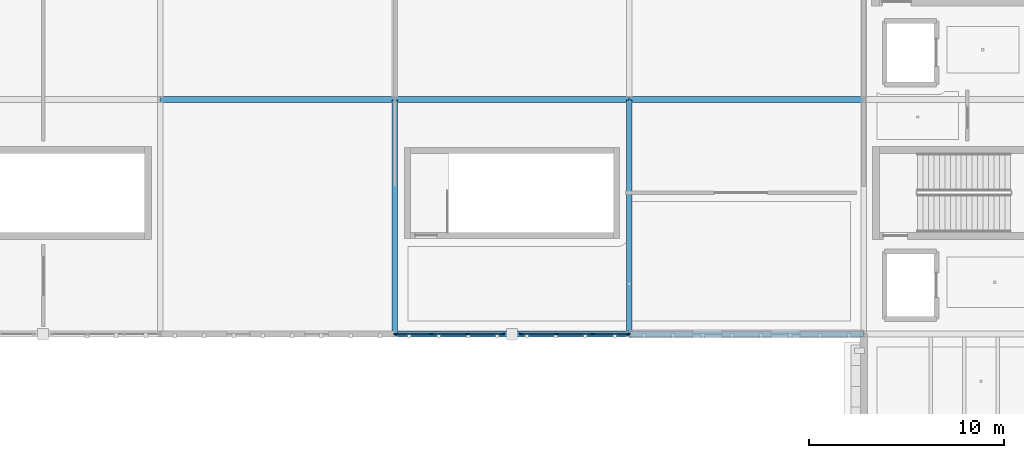
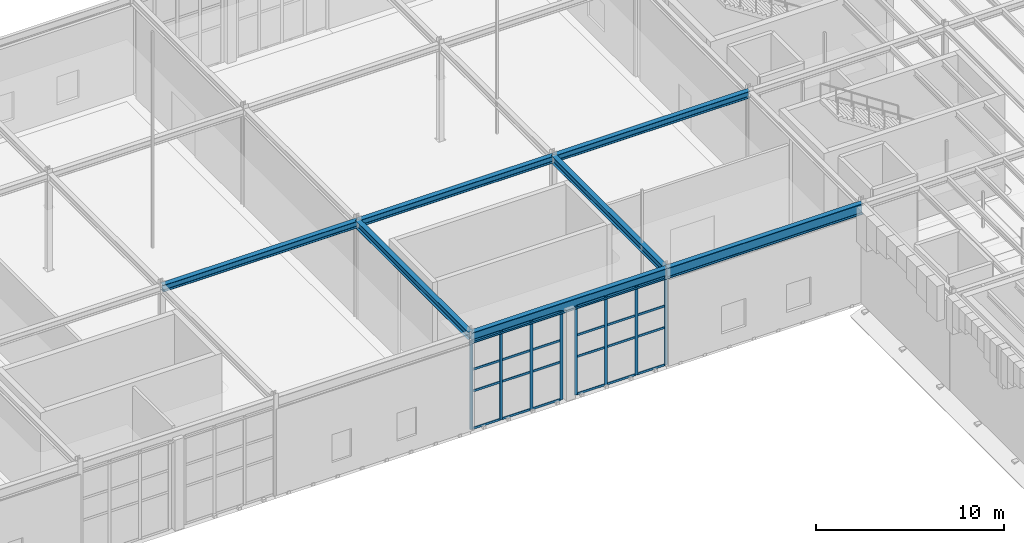
# One storey, part 20 of 62: 32 members, 7 beams, 2 elements without a shape of their own.
"""IFC4 building model written with IfcOpenShell, lengths in metres."""

from ifc_helpers import new_model, si_unit, direction, frame, origin, origin_2d, place, context, subcontext, project, spatial, rectangle, i_section, extrude, material, layer, layer_set, material_profile, profile_set, type_object, element, aggregate, save


model = new_model("IFC4")

# Units and contexts
model_context = context("Model", 3, precision=1e-05, world=origin(), true_north=direction((0.0, 1.0)))
body_context = subcontext(model_context, "Body", "Model", "MODEL_VIEW")
ifc_project = project(units=[si_unit("LENGTHUNIT", "METRE"), si_unit("AREAUNIT", "SQUARE_METRE"), si_unit("VOLUMEUNIT", "CUBIC_METRE"), si_unit("PLANEANGLEUNIT", "RADIAN"), si_unit("MASSUNIT", "GRAM", prefix="KILO")], contexts=[model_context])

# Site, building, storey
site_placement = place(None, origin())
site = spatial("IfcSite", under=ifc_project, at=site_placement, CompositionType="ELEMENT")
building_placement = place(site_placement, origin())
building = spatial("IfcBuilding", under=site, at=building_placement, Name="Zlatogorsky Bluff Art Gallery", CompositionType="ELEMENT")
storey_placement = place(building_placement, frame((0.0, 0.0, 16.800048828125)))
storey = spatial("IfcBuildingStorey", under=building, at=storey_placement, Name="L03", CompositionType="ELEMENT", Elevation=16.800048828125)

# Beams
ifc_material_1 = material(Name="Steel S355", Category="steel")
ifc_material_profile_1 = material_profile(ifc_material_1, i_section(OverallWidth=0.300048828125, OverallDepth=0.699951171875, WebThickness=0.01708984375, FlangeThickness=0.031982421875, FilletRadius=0.027099609375, at=origin_2d()), Name="HEB 700")
ifc_profile_set_1 = profile_set([ifc_material_profile_1], Name="Steel S355")
beam_type_1 = type_object("IfcBeamType", Name="Beam BM-02 HEB 700", PredefinedType="BEAM", material=ifc_profile_set_1)
for number, where, z_axis, x_axis, name in (
    (1, (96.014892578125, 84.0, 5.97998046875), (1.0, 0.0, 0.0), (0.0, 1.0, 0.0), "Primary girder BM-02 L03 J-K/9"),
    (2, (108.014892578125, 84.0, 5.97998046875), (1.0, 0.0, 0.0), (0.0, 1.0, 0.0), "Primary girder BM-02 L03 K-L/9"),
):
    element("IfcBeam", number, at=place(storey_placement, frame(where, z_axis=z_axis, x_axis=x_axis)), inside=storey, type_object=beam_type_1, Name=name, PredefinedType="BEAM", context=body_context, shape_type="SweptSolid", body=[
        extrude(i_section(OverallWidth=0.300048828125, OverallDepth=0.699951171875, WebThickness=0.01708984375, FlangeThickness=0.031982421875, FilletRadius=0.027099609375, at=origin_2d()), origin(), (0.0, 0.0, 1.0), 11.97021484375),
    ])
ifc_material_profile_2 = material_profile(ifc_material_1, i_section(OverallWidth=0.300048828125, OverallDepth=0.489990234375, WebThickness=0.011962890625, FlangeThickness=0.02294921875, FilletRadius=0.027099609375, at=origin_2d()), Name="HEA 500")
ifc_profile_set_2 = profile_set([ifc_material_profile_2], Name="Steel S355")
beam_type_2 = type_object("IfcBeamType", Name="Beam BM-07 HEA 500", PredefinedType="BEAM", material=ifc_profile_set_2)
for number, where, z_axis, x_axis, name in (
    (3, (96.0, 84.014892578125, 6.0849609375), (0.0, 1.0, 0.0), (-1.0, 0.0, 0.0), "Primary girder BM-07 L03 J/9-10"),
    (4, (108.0, 84.014892578125, 6.0849609375), (0.0, 1.0, 0.0), (-1.0, 0.0, 0.0), "Primary girder BM-07 L03 K/9-10"),
):
    element("IfcBeam", number, at=place(storey_placement, frame(where, z_axis=z_axis, x_axis=x_axis)), inside=storey, type_object=beam_type_2, Name=name, PredefinedType="BEAM", context=body_context, shape_type="SweptSolid", body=[
        extrude(i_section(OverallWidth=0.300048828125, OverallDepth=0.489990234375, WebThickness=0.011962890625, FlangeThickness=0.02294921875, FilletRadius=0.027099609375, at=origin_2d()), origin(), (0.0, 0.0, 1.0), 11.97021484375),
    ])
ifc_material_profile_3 = material_profile(ifc_material_1, i_section(OverallWidth=0.300048828125, OverallDepth=0.43994140625, WebThickness=0.011474609375, FlangeThickness=0.02099609375, FilletRadius=0.027099609375, at=origin_2d()), Name="HEA 450")
ifc_profile_set_3 = profile_set([ifc_material_profile_3], Name="Steel S355")
beam_type_3 = type_object("IfcBeamType", Name="Beam BM-08 HEA 450", PredefinedType="BEAM", material=ifc_profile_set_3)
for number, where, z_axis, x_axis, name in (
    (5, (84.014892578125, 96.0, 6.10986328125), (1.0, 0.0, 0.0), (0.0, 1.0, 0.0), "Primary girder BM-08 L03 H-J/10"),
    (6, (96.014892578125, 96.0, 6.10986328125), (1.0, 0.0, 0.0), (0.0, 1.0, 0.0), "Primary girder BM-08 L03 J-K/10"),
    (7, (108.014892578125, 96.0, 6.10986328125), (1.0, 0.0, 0.0), (0.0, 1.0, 0.0), "Primary girder BM-08 L03 K-L/10"),
):
    element("IfcBeam", number, at=place(storey_placement, frame(where, z_axis=z_axis, x_axis=x_axis)), inside=storey, type_object=beam_type_3, Name=name, PredefinedType="BEAM", context=body_context, shape_type="SweptSolid", body=[
        extrude(i_section(OverallWidth=0.300048828125, OverallDepth=0.43994140625, WebThickness=0.011474609375, FlangeThickness=0.02099609375, FilletRadius=0.027099609375, at=origin_2d()), origin(), (0.0, 0.0, 1.0), 11.97021484375),
    ])

# Curtain wall, members
ifc_material_2 = material(Name="Anodised Bronze Aluminium and Low-Iron Triple Glazing", Category="aluminium")
ifc_layer = layer(ifc_material_2, 0.219970703125)
ifc_layer_set = layer_set([ifc_layer], Name="Curtain Wall CW-04")
curtain_wall_type = type_object("IfcCurtainWallType", Name="Curtain Wall CW-04", PredefinedType="USERDEFINED", material=ifc_layer_set)
curtain_wall_1_placement = place(storey_placement, origin())
curtain_wall_1 = element("IfcCurtainWall", 8, at=curtain_wall_1_placement, inside=storey, type_object=curtain_wall_type, Name="Unitised curtain wall CW-04 L03 S 8.8-A", ObjectType="CURTAIN WALL", PredefinedType="USERDEFINED")
ifc_material_3 = material(Name="Anodised Bronze Aluminium", Category="aluminium")
ifc_material_profile_4 = material_profile(ifc_material_3, rectangle(XDim=0.06494140625, YDim=0.179931640625, at=origin_2d()), Name="ALU MULLION 65x180")
ifc_profile_set_4 = profile_set([ifc_material_profile_4], Name="Anodised Bronze Aluminium")
member_type_1 = type_object("IfcMemberType", Name="Curtain Mullion ML-01", PredefinedType="MULLION", material=ifc_profile_set_4)
member_1_placement = place(storey_placement, frame((96.032470703125, 84.0, 0.0), z_axis=(0.0, 0.0, 1.0), x_axis=(0.0, 1.0, 0.0)))
member_1 = element("IfcMember", 9, at=member_1_placement, type_object=member_type_1, Name="CW-04 mullion 1", PredefinedType="MULLION", context=body_context, shape_type="SweptSolid", body=[
    extrude(rectangle(XDim=0.06494140625, YDim=0.179931640625, at=origin_2d()), origin(), (0.0, 0.0, 1.0), 5.75),
])
member_2_placement = place(storey_placement, frame((97.860107421875, 84.0, 0.0), z_axis=(0.0, 0.0, 1.0), x_axis=(0.0, 1.0, 0.0)))
member_2 = element("IfcMember", 10, at=member_2_placement, type_object=member_type_1, Name="CW-04 mullion 2", PredefinedType="MULLION", context=body_context, shape_type="SweptSolid", body=[
    extrude(rectangle(XDim=0.06494140625, YDim=0.179931640625, at=origin_2d()), origin(), (0.0, 0.0, 1.0), 5.75),
])
member_3_placement = place(storey_placement, frame((99.719970703125, 84.0, 0.0), z_axis=(0.0, 0.0, 1.0), x_axis=(0.0, 1.0, 0.0)))
member_3 = element("IfcMember", 11, at=member_3_placement, type_object=member_type_1, Name="CW-04 mullion 3", PredefinedType="MULLION", context=body_context, shape_type="SweptSolid", body=[
    extrude(rectangle(XDim=0.06494140625, YDim=0.179931640625, at=origin_2d()), origin(), (0.0, 0.0, 1.0), 5.75),
])
member_4_placement = place(storey_placement, frame((101.547607421875, 84.0, 0.0), z_axis=(0.0, 0.0, 1.0), x_axis=(0.0, 1.0, 0.0)))
member_4 = element("IfcMember", 12, at=member_4_placement, type_object=member_type_1, Name="CW-04 mullion 4", PredefinedType="MULLION", context=body_context, shape_type="SweptSolid", body=[
    extrude(rectangle(XDim=0.06494140625, YDim=0.179931640625, at=origin_2d()), origin(), (0.0, 0.0, 1.0), 5.75),
])

curtain_wall_2_placement = place(storey_placement, origin())
curtain_wall_2 = element("IfcCurtainWall", 13, at=curtain_wall_2_placement, inside=storey, type_object=curtain_wall_type, Name="Unitised curtain wall CW-04 L03 S 8.8-B", ObjectType="CURTAIN WALL", PredefinedType="USERDEFINED")
member_5_placement = place(storey_placement, frame((102.452392578125, 84.0, 0.0), z_axis=(0.0, 0.0, 1.0), x_axis=(0.0, 1.0, 0.0)))
member_5 = element("IfcMember", 14, at=member_5_placement, type_object=member_type_1, Name="CW-04 mullion 1", PredefinedType="MULLION", context=body_context, shape_type="SweptSolid", body=[
    extrude(rectangle(XDim=0.06494140625, YDim=0.179931640625, at=origin_2d()), origin(), (0.0, 0.0, 1.0), 5.75),
])
member_6_placement = place(storey_placement, frame((104.280029296875, 84.0, 0.0), z_axis=(0.0, 0.0, 1.0), x_axis=(0.0, 1.0, 0.0)))
member_6 = element("IfcMember", 15, at=member_6_placement, type_object=member_type_1, Name="CW-04 mullion 2", PredefinedType="MULLION", context=body_context, shape_type="SweptSolid", body=[
    extrude(rectangle(XDim=0.06494140625, YDim=0.179931640625, at=origin_2d()), origin(), (0.0, 0.0, 1.0), 5.75),
])
member_7_placement = place(storey_placement, frame((106.139892578125, 84.0, 0.0), z_axis=(0.0, 0.0, 1.0), x_axis=(0.0, 1.0, 0.0)))
member_7 = element("IfcMember", 16, at=member_7_placement, type_object=member_type_1, Name="CW-04 mullion 3", PredefinedType="MULLION", context=body_context, shape_type="SweptSolid", body=[
    extrude(rectangle(XDim=0.06494140625, YDim=0.179931640625, at=origin_2d()), origin(), (0.0, 0.0, 1.0), 5.75),
])
member_8_placement = place(storey_placement, frame((107.967529296875, 84.0, 0.0), z_axis=(0.0, 0.0, 1.0), x_axis=(0.0, 1.0, 0.0)))
member_8 = element("IfcMember", 17, at=member_8_placement, type_object=member_type_1, Name="CW-04 mullion 4", PredefinedType="MULLION", context=body_context, shape_type="SweptSolid", body=[
    extrude(rectangle(XDim=0.06494140625, YDim=0.179931640625, at=origin_2d()), origin(), (0.0, 0.0, 1.0), 5.75),
])

# Member
ifc_material_profile_5 = material_profile(ifc_material_3, rectangle(XDim=0.06494140625, YDim=0.139892578125, at=origin_2d()), Name="ALU TRANSOM 65x140")
ifc_profile_set_5 = profile_set([ifc_material_profile_5], Name="Anodised Bronze Aluminium")
member_type_2 = type_object("IfcMemberType", Name="Curtain Transom TR-01", PredefinedType="USERDEFINED", material=ifc_profile_set_5)
member_9_placement = place(storey_placement, frame((96.06494140625, 84.0, 0.032470703125), z_axis=(1.0, 0.0, 0.0), x_axis=(0.0, 1.0, 0.0)))
member_9 = element("IfcMember", 18, at=member_9_placement, type_object=member_type_2, Name="CW-04 transom 1.1", ObjectType="TRANSOM", PredefinedType="USERDEFINED", context=body_context, shape_type="SweptSolid", body=[
    extrude(rectangle(XDim=0.06494140625, YDim=0.139892578125, at=origin_2d()), origin(), (0.0, 0.0, 1.0), 1.762451171875),
])

member_10_placement = place(storey_placement, frame((96.06494140625, 84.0, 2.449951171875), z_axis=(1.0, 0.0, 0.0), x_axis=(0.0, 1.0, 0.0)))
member_10 = element("IfcMember", 19, at=member_10_placement, type_object=member_type_2, Name="CW-04 transom 1.2", ObjectType="TRANSOM", PredefinedType="USERDEFINED", context=body_context, shape_type="SweptSolid", body=[
    extrude(rectangle(XDim=0.06494140625, YDim=0.139892578125, at=origin_2d()), origin(), (0.0, 0.0, 1.0), 1.762451171875),
])

member_11_placement = place(storey_placement, frame((96.06494140625, 84.0, 3.849853515625), z_axis=(1.0, 0.0, 0.0), x_axis=(0.0, 1.0, 0.0)))
member_11 = element("IfcMember", 20, at=member_11_placement, type_object=member_type_2, Name="CW-04 transom 1.3", ObjectType="TRANSOM", PredefinedType="USERDEFINED", context=body_context, shape_type="SweptSolid", body=[
    extrude(rectangle(XDim=0.06494140625, YDim=0.139892578125, at=origin_2d()), origin(), (0.0, 0.0, 1.0), 1.762451171875),
])

member_12_placement = place(storey_placement, frame((96.06494140625, 84.0, 5.717529296875), z_axis=(1.0, 0.0, 0.0), x_axis=(0.0, 1.0, 0.0)))
member_12 = element("IfcMember", 21, at=member_12_placement, type_object=member_type_2, Name="CW-04 transom 1.4", ObjectType="TRANSOM", PredefinedType="USERDEFINED", context=body_context, shape_type="SweptSolid", body=[
    extrude(rectangle(XDim=0.06494140625, YDim=0.139892578125, at=origin_2d()), origin(), (0.0, 0.0, 1.0), 1.762451171875),
])

member_13_placement = place(storey_placement, frame((97.892578125, 84.0, 0.032470703125), z_axis=(1.0, 0.0, 0.0), x_axis=(0.0, 1.0, 0.0)))
member_13 = element("IfcMember", 22, at=member_13_placement, type_object=member_type_2, Name="CW-04 transom 2.1", ObjectType="TRANSOM", PredefinedType="USERDEFINED", context=body_context, shape_type="SweptSolid", body=[
    extrude(rectangle(XDim=0.06494140625, YDim=0.139892578125, at=origin_2d()), origin(), (0.0, 0.0, 1.0), 1.794921875),
])

member_14_placement = place(storey_placement, frame((97.892578125, 84.0, 2.449951171875), z_axis=(1.0, 0.0, 0.0), x_axis=(0.0, 1.0, 0.0)))
member_14 = element("IfcMember", 23, at=member_14_placement, type_object=member_type_2, Name="CW-04 transom 2.2", ObjectType="TRANSOM", PredefinedType="USERDEFINED", context=body_context, shape_type="SweptSolid", body=[
    extrude(rectangle(XDim=0.06494140625, YDim=0.139892578125, at=origin_2d()), origin(), (0.0, 0.0, 1.0), 1.794921875),
])

member_15_placement = place(storey_placement, frame((97.892578125, 84.0, 3.849853515625), z_axis=(1.0, 0.0, 0.0), x_axis=(0.0, 1.0, 0.0)))
member_15 = element("IfcMember", 24, at=member_15_placement, type_object=member_type_2, Name="CW-04 transom 2.3", ObjectType="TRANSOM", PredefinedType="USERDEFINED", context=body_context, shape_type="SweptSolid", body=[
    extrude(rectangle(XDim=0.06494140625, YDim=0.139892578125, at=origin_2d()), origin(), (0.0, 0.0, 1.0), 1.794921875),
])

member_16_placement = place(storey_placement, frame((97.892578125, 84.0, 5.717529296875), z_axis=(1.0, 0.0, 0.0), x_axis=(0.0, 1.0, 0.0)))
member_16 = element("IfcMember", 25, at=member_16_placement, type_object=member_type_2, Name="CW-04 transom 2.4", ObjectType="TRANSOM", PredefinedType="USERDEFINED", context=body_context, shape_type="SweptSolid", body=[
    extrude(rectangle(XDim=0.06494140625, YDim=0.139892578125, at=origin_2d()), origin(), (0.0, 0.0, 1.0), 1.794921875),
])

member_17_placement = place(storey_placement, frame((99.75244140625, 84.0, 0.032470703125), z_axis=(1.0, 0.0, 0.0), x_axis=(0.0, 1.0, 0.0)))
member_17 = element("IfcMember", 26, at=member_17_placement, type_object=member_type_2, Name="CW-04 transom 3.1", ObjectType="TRANSOM", PredefinedType="USERDEFINED", context=body_context, shape_type="SweptSolid", body=[
    extrude(rectangle(XDim=0.06494140625, YDim=0.139892578125, at=origin_2d()), origin(), (0.0, 0.0, 1.0), 1.762451171875),
])

member_18_placement = place(storey_placement, frame((99.75244140625, 84.0, 2.449951171875), z_axis=(1.0, 0.0, 0.0), x_axis=(0.0, 1.0, 0.0)))
member_18 = element("IfcMember", 27, at=member_18_placement, type_object=member_type_2, Name="CW-04 transom 3.2", ObjectType="TRANSOM", PredefinedType="USERDEFINED", context=body_context, shape_type="SweptSolid", body=[
    extrude(rectangle(XDim=0.06494140625, YDim=0.139892578125, at=origin_2d()), origin(), (0.0, 0.0, 1.0), 1.762451171875),
])

member_19_placement = place(storey_placement, frame((99.75244140625, 84.0, 3.849853515625), z_axis=(1.0, 0.0, 0.0), x_axis=(0.0, 1.0, 0.0)))
member_19 = element("IfcMember", 28, at=member_19_placement, type_object=member_type_2, Name="CW-04 transom 3.3", ObjectType="TRANSOM", PredefinedType="USERDEFINED", context=body_context, shape_type="SweptSolid", body=[
    extrude(rectangle(XDim=0.06494140625, YDim=0.139892578125, at=origin_2d()), origin(), (0.0, 0.0, 1.0), 1.762451171875),
])

member_20_placement = place(storey_placement, frame((99.75244140625, 84.0, 5.717529296875), z_axis=(1.0, 0.0, 0.0), x_axis=(0.0, 1.0, 0.0)))
member_20 = element("IfcMember", 29, at=member_20_placement, type_object=member_type_2, Name="CW-04 transom 3.4", ObjectType="TRANSOM", PredefinedType="USERDEFINED", context=body_context, shape_type="SweptSolid", body=[
    extrude(rectangle(XDim=0.06494140625, YDim=0.139892578125, at=origin_2d()), origin(), (0.0, 0.0, 1.0), 1.762451171875),
])

aggregate(curtain_wall_1, [member_1, member_2, member_3, member_4, member_9, member_10, member_11, member_12, member_13, member_14, member_15, member_16, member_17, member_18, member_19, member_20])

member_21_placement = place(storey_placement, frame((102.485107421875, 84.0, 0.032470703125), z_axis=(1.0, 0.0, 0.0), x_axis=(0.0, 1.0, 0.0)))
member_21 = element("IfcMember", 30, at=member_21_placement, type_object=member_type_2, Name="CW-04 transom 1.1", ObjectType="TRANSOM", PredefinedType="USERDEFINED", context=body_context, shape_type="SweptSolid", body=[
    extrude(rectangle(XDim=0.06494140625, YDim=0.139892578125, at=origin_2d()), origin(), (0.0, 0.0, 1.0), 1.762451171875),
])

member_22_placement = place(storey_placement, frame((102.485107421875, 84.0, 2.449951171875), z_axis=(1.0, 0.0, 0.0), x_axis=(0.0, 1.0, 0.0)))
member_22 = element("IfcMember", 31, at=member_22_placement, type_object=member_type_2, Name="CW-04 transom 1.2", ObjectType="TRANSOM", PredefinedType="USERDEFINED", context=body_context, shape_type="SweptSolid", body=[
    extrude(rectangle(XDim=0.06494140625, YDim=0.139892578125, at=origin_2d()), origin(), (0.0, 0.0, 1.0), 1.762451171875),
])

member_23_placement = place(storey_placement, frame((102.485107421875, 84.0, 3.849853515625), z_axis=(1.0, 0.0, 0.0), x_axis=(0.0, 1.0, 0.0)))
member_23 = element("IfcMember", 32, at=member_23_placement, type_object=member_type_2, Name="CW-04 transom 1.3", ObjectType="TRANSOM", PredefinedType="USERDEFINED", context=body_context, shape_type="SweptSolid", body=[
    extrude(rectangle(XDim=0.06494140625, YDim=0.139892578125, at=origin_2d()), origin(), (0.0, 0.0, 1.0), 1.762451171875),
])

member_24_placement = place(storey_placement, frame((102.485107421875, 84.0, 5.717529296875), z_axis=(1.0, 0.0, 0.0), x_axis=(0.0, 1.0, 0.0)))
member_24 = element("IfcMember", 33, at=member_24_placement, type_object=member_type_2, Name="CW-04 transom 1.4", ObjectType="TRANSOM", PredefinedType="USERDEFINED", context=body_context, shape_type="SweptSolid", body=[
    extrude(rectangle(XDim=0.06494140625, YDim=0.139892578125, at=origin_2d()), origin(), (0.0, 0.0, 1.0), 1.762451171875),
])

member_25_placement = place(storey_placement, frame((104.3125, 84.0, 0.032470703125), z_axis=(1.0, 0.0, 0.0), x_axis=(0.0, 1.0, 0.0)))
member_25 = element("IfcMember", 34, at=member_25_placement, type_object=member_type_2, Name="CW-04 transom 2.1", ObjectType="TRANSOM", PredefinedType="USERDEFINED", context=body_context, shape_type="SweptSolid", body=[
    extrude(rectangle(XDim=0.06494140625, YDim=0.139892578125, at=origin_2d()), origin(), (0.0, 0.0, 1.0), 1.794921875),
])

member_26_placement = place(storey_placement, frame((104.3125, 84.0, 2.449951171875), z_axis=(1.0, 0.0, 0.0), x_axis=(0.0, 1.0, 0.0)))
member_26 = element("IfcMember", 35, at=member_26_placement, type_object=member_type_2, Name="CW-04 transom 2.2", ObjectType="TRANSOM", PredefinedType="USERDEFINED", context=body_context, shape_type="SweptSolid", body=[
    extrude(rectangle(XDim=0.06494140625, YDim=0.139892578125, at=origin_2d()), origin(), (0.0, 0.0, 1.0), 1.794921875),
])

member_27_placement = place(storey_placement, frame((104.3125, 84.0, 3.849853515625), z_axis=(1.0, 0.0, 0.0), x_axis=(0.0, 1.0, 0.0)))
member_27 = element("IfcMember", 36, at=member_27_placement, type_object=member_type_2, Name="CW-04 transom 2.3", ObjectType="TRANSOM", PredefinedType="USERDEFINED", context=body_context, shape_type="SweptSolid", body=[
    extrude(rectangle(XDim=0.06494140625, YDim=0.139892578125, at=origin_2d()), origin(), (0.0, 0.0, 1.0), 1.794921875),
])

member_28_placement = place(storey_placement, frame((104.3125, 84.0, 5.717529296875), z_axis=(1.0, 0.0, 0.0), x_axis=(0.0, 1.0, 0.0)))
member_28 = element("IfcMember", 37, at=member_28_placement, type_object=member_type_2, Name="CW-04 transom 2.4", ObjectType="TRANSOM", PredefinedType="USERDEFINED", context=body_context, shape_type="SweptSolid", body=[
    extrude(rectangle(XDim=0.06494140625, YDim=0.139892578125, at=origin_2d()), origin(), (0.0, 0.0, 1.0), 1.794921875),
])

member_29_placement = place(storey_placement, frame((106.172607421875, 84.0, 0.032470703125), z_axis=(1.0, 0.0, 0.0), x_axis=(0.0, 1.0, 0.0)))
member_29 = element("IfcMember", 38, at=member_29_placement, type_object=member_type_2, Name="CW-04 transom 3.1", ObjectType="TRANSOM", PredefinedType="USERDEFINED", context=body_context, shape_type="SweptSolid", body=[
    extrude(rectangle(XDim=0.06494140625, YDim=0.139892578125, at=origin_2d()), origin(), (0.0, 0.0, 1.0), 1.762451171875),
])

member_30_placement = place(storey_placement, frame((106.172607421875, 84.0, 2.449951171875), z_axis=(1.0, 0.0, 0.0), x_axis=(0.0, 1.0, 0.0)))
member_30 = element("IfcMember", 39, at=member_30_placement, type_object=member_type_2, Name="CW-04 transom 3.2", ObjectType="TRANSOM", PredefinedType="USERDEFINED", context=body_context, shape_type="SweptSolid", body=[
    extrude(rectangle(XDim=0.06494140625, YDim=0.139892578125, at=origin_2d()), origin(), (0.0, 0.0, 1.0), 1.762451171875),
])

member_31_placement = place(storey_placement, frame((106.172607421875, 84.0, 3.849853515625), z_axis=(1.0, 0.0, 0.0), x_axis=(0.0, 1.0, 0.0)))
member_31 = element("IfcMember", 40, at=member_31_placement, type_object=member_type_2, Name="CW-04 transom 3.3", ObjectType="TRANSOM", PredefinedType="USERDEFINED", context=body_context, shape_type="SweptSolid", body=[
    extrude(rectangle(XDim=0.06494140625, YDim=0.139892578125, at=origin_2d()), origin(), (0.0, 0.0, 1.0), 1.762451171875),
])

member_32_placement = place(storey_placement, frame((106.172607421875, 84.0, 5.717529296875), z_axis=(1.0, 0.0, 0.0), x_axis=(0.0, 1.0, 0.0)))
member_32 = element("IfcMember", 41, at=member_32_placement, type_object=member_type_2, Name="CW-04 transom 3.4", ObjectType="TRANSOM", PredefinedType="USERDEFINED", context=body_context, shape_type="SweptSolid", body=[
    extrude(rectangle(XDim=0.06494140625, YDim=0.139892578125, at=origin_2d()), origin(), (0.0, 0.0, 1.0), 1.762451171875),
])

aggregate(curtain_wall_2, [member_5, member_6, member_7, member_8, member_21, member_22, member_23, member_24, member_25, member_26, member_27, member_28, member_29, member_30, member_31, member_32])

save(model, "model.ifc")
